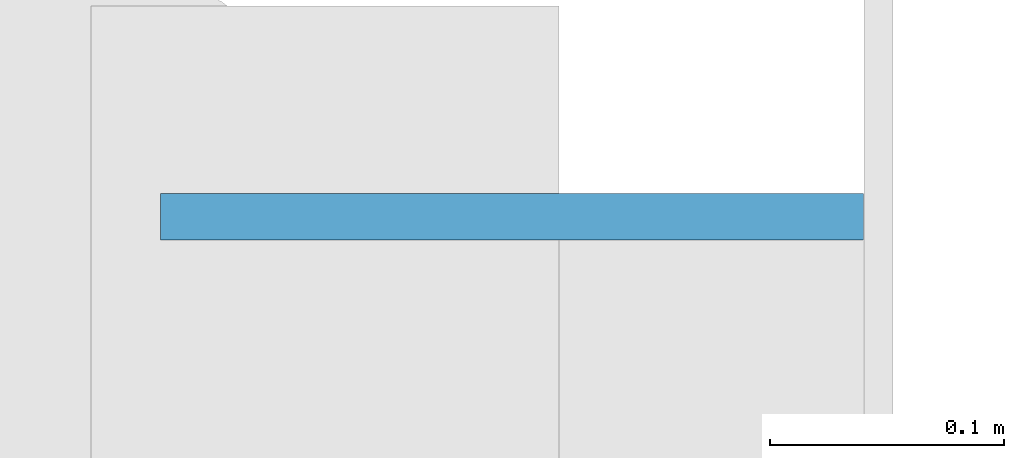
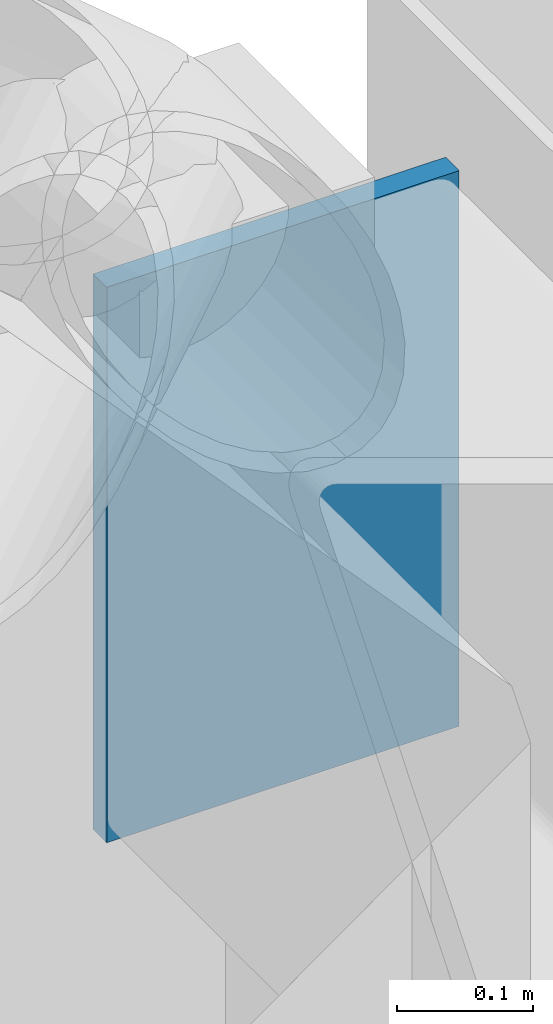
# One storey, part 102 of 141: 1 plate.
"""IFC4 building model written with IfcOpenShell, lengths in metres."""

from ifc_helpers import new_model, si_unit, direction, frame, origin, origin_2d, place, context, subcontext, project, spatial, rectangle, extrude, material, layer, layer_set, type_object, element, save


model = new_model("IFC4")

# Units and contexts
model_context = context("Model", 3, precision=1e-05, world=origin(), true_north=direction((0.0, 1.0)))
body_context = subcontext(model_context, "Body", "Model", "MODEL_VIEW")
ifc_project = project(units=[si_unit("LENGTHUNIT", "METRE"), si_unit("AREAUNIT", "SQUARE_METRE"), si_unit("VOLUMEUNIT", "CUBIC_METRE"), si_unit("PLANEANGLEUNIT", "RADIAN"), si_unit("MASSUNIT", "GRAM", prefix="KILO")], contexts=[model_context])

# Site, building, storey
site_placement = place(None, origin())
site = spatial("IfcSite", under=ifc_project, at=site_placement, CompositionType="ELEMENT")
building_placement = place(site_placement, origin())
building = spatial("IfcBuilding", under=site, at=building_placement, Name="Lantern Court Media Centre", CompositionType="ELEMENT")
storey_placement = place(building_placement, frame((0.0, 0.0, 9.60009765625)))
storey = spatial("IfcBuildingStorey", under=building, at=storey_placement, Name="L02", CompositionType="ELEMENT", Elevation=9.60009765625)

# Plate
ifc_material = material(Name="Steel S355J2 (EN 10025-2)", Category="steel")
ifc_layer = layer(ifc_material, 0.02001953125)
ifc_layer_set = layer_set([ifc_layer], Name="Steel S355J2 (EN 10025-2)")
plate_type = type_object("IfcPlateType", Name="Steel end plate 20", PredefinedType="SHEET", material=ifc_layer_set)
plate_placement = place(storey_placement, frame((104.14990234375, 40.010009765625, 4.199951171875), z_axis=(0.0, 0.0, 1.0), x_axis=(1.0, 0.0, 0.0)))
element("IfcPlate", 1, at=plate_placement, inside=storey, type_object=plate_type, Name="Studio Hall edge girder end plate east north", PredefinedType="SHEET", context=body_context, shape_type="SweptSolid", body=[
    extrude(rectangle(XDim=0.300048828125, YDim=0.02001953125, at=origin_2d()), origin(), (0.0, 0.0, 1.0), 0.5),
])

save(model, "model.ifc")
